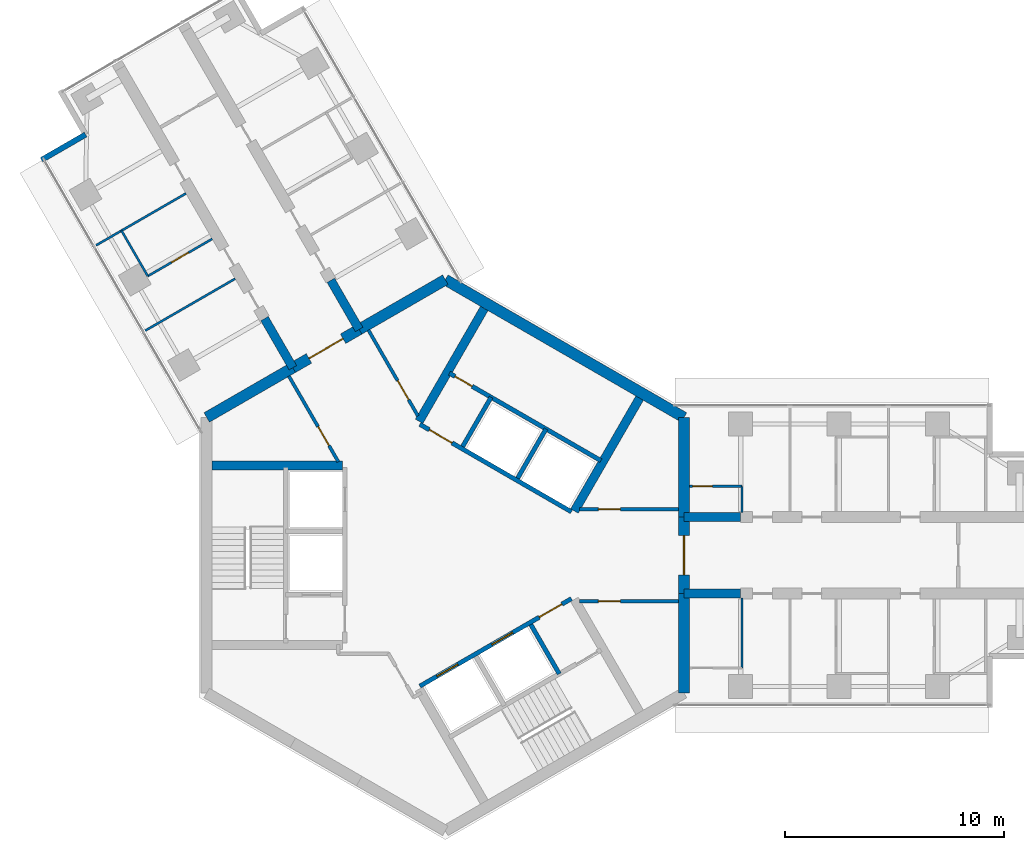
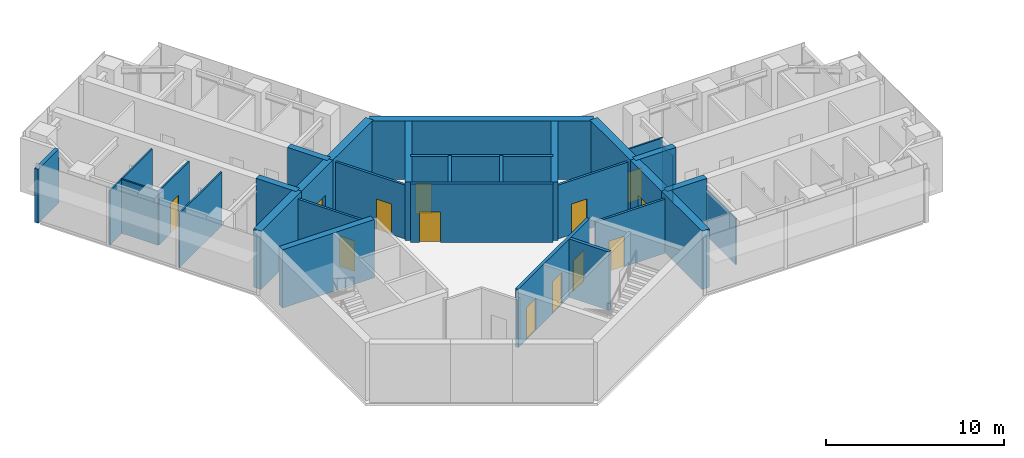
# One storey, part 12 of 17: 32 walls, 13 doors, 13 openings.
"""IFC4 building model written with IfcOpenShell, lengths in metres."""

from ifc_helpers import new_model, si_unit, direction, frame, frame_2d, origin, place, context, subcontext, project, spatial, rectangle, extrude, material, layer, layer_set, type_object, element, fill, save


model = new_model("IFC4")

# Units and contexts
model_context = context("Model", 3, precision=1e-05, world=origin(), true_north=direction((0.0, 1.0)))
body_context = subcontext(model_context, "Body", "Model", "MODEL_VIEW")
ifc_project = project(units=[si_unit("LENGTHUNIT", "METRE"), si_unit("AREAUNIT", "SQUARE_METRE"), si_unit("VOLUMEUNIT", "CUBIC_METRE"), si_unit("PLANEANGLEUNIT", "RADIAN"), si_unit("MASSUNIT", "GRAM", prefix="KILO")], contexts=[model_context])

# Site, building, storey
site_placement = place(None, origin())
site = spatial("IfcSite", under=ifc_project, at=site_placement, CompositionType="ELEMENT")
building_placement = place(site_placement, origin())
building = spatial("IfcBuilding", under=site, at=building_placement, Name="Upepo Twin Towers", CompositionType="ELEMENT")
storey_placement = place(building_placement, frame((0.0, 0.0, 234.5)))
storey = spatial("IfcBuildingStorey", under=building, at=storey_placement, Name="L57", CompositionType="ELEMENT", Elevation=234.5)

# Walls
ifc_material_1 = material(Name="Concrete C60/75", Category="concrete")
ifc_layer_1 = layer(ifc_material_1, 0.39990234375)
ifc_layer_set_1 = layer_set([ifc_layer_1], Name="Concrete C60/75")
wall_type_1 = type_object("IfcWallType", Name="Buttress wall 400 RC", PredefinedType="SHEAR", material=ifc_layer_set_1)
for number, where, z_axis, x_axis, name in (
    (1, (10.908447265625, 1.75, 0.0), (0.0, 0.0, 1.0), (1.0, 0.0, 0.0), "T1 wing A buttress wall L"),
    (2, (10.908447265625, -1.75, 0.0), (0.0, 0.0, 1.0), (1.0, 0.0, 0.0), "T1 wing A buttress wall R"),
):
    element("IfcWall", number, at=place(storey_placement, frame(where, z_axis=z_axis, x_axis=x_axis)), inside=storey, type_object=wall_type_1, Name=name, PredefinedType="SHEAR", context=body_context, shape_type="SweptSolid", body=[
        extrude(rectangle(XDim=2.591552734375, YDim=0.39990234375, at=frame_2d((1.2958984375, 0.0))), origin(), (0.0, 0.0, 1.0), 4.0),
    ])
for number, where, z_axis, x_axis, name in (
    (3, (-6.9697265625, 8.57177734375, 0.0), (0.0, 0.0, 1.0), (-0.499988811324, 0.866031863473, 0.0), "T1 wing B buttress wall L"),
    (4, (-3.938720703125, 10.32177734375, 0.0), (0.0, 0.0, 1.0), (-0.499918158782, 0.866072649678, 0.0), "T1 wing B buttress wall R"),
):
    element("IfcWall", number, at=place(storey_placement, frame(where, z_axis=z_axis, x_axis=x_axis)), inside=storey, type_object=wall_type_1, Name=name, PredefinedType="SHEAR", context=body_context, shape_type="SweptSolid", body=[
        extrude(rectangle(XDim=2.591796875, YDim=0.39990234375, at=frame_2d((1.2958984375, 0.0))), origin(), (0.0, 0.0, 1.0), 4.0),
    ])
ifc_material_2 = material(Name="Concrete C60/75", Category="concrete")
ifc_layer_2 = layer(ifc_material_2, 0.5)
ifc_layer_set_2 = layer_set([ifc_layer_2], Name="Concrete C60/75")
wall_type_2 = type_object("IfcWallType", Name="Core wall 500 RC", PredefinedType="SHEAR", material=ifc_layer_set_2)
wall_1_placement = place(storey_placement, frame((10.908447265625, -6.2978515625, 0.0), z_axis=(0.0, 0.0, 1.0), x_axis=(0.0, 1.0, 0.0)))
element("IfcWall", 5, at=wall_1_placement, inside=storey, type_object=wall_type_2, Name="T1 core wall 000 R", PredefinedType="SHEAR", context=body_context, shape_type="SweptSolid", body=[
    extrude(rectangle(XDim=4.5478515625, YDim=0.5, at=frame_2d((2.27392578125, 0.0))), origin(), (0.0, 0.0, 1.0), 4.0),
])

# Wall, opening, door
wall_2_placement = place(storey_placement, frame((10.908447265625, -1.75, 0.0), z_axis=(0.0, 0.0, 1.0), x_axis=(0.0, 1.0, 0.0)))
wall_2 = element("IfcWall", 6, at=wall_2_placement, inside=storey, type_object=wall_type_2, Name="T1 core wall 000", PredefinedType="SHEAR", context=body_context, shape_type="SweptSolid", body=[
    extrude(rectangle(XDim=3.5, YDim=0.5, at=frame_2d((1.75, 0.0))), origin(), (0.0, 0.0, 1.0), 4.0),
])
opening_1_placement = place(wall_2_placement, frame((0.85009765625, 0.0, 0.0)))
opening_1 = element("IfcOpeningElement", 7, at=opening_1_placement, cuts=wall_2, Name="Opening D2", PredefinedType="OPENING", context=body_context, shape_type="SweptSolid", body=[
    extrude(rectangle(XDim=1.800048828125, YDim=2.10009765625, at=frame_2d((0.89990234375, 1.050048828125))), frame((0.0, 0.260009765625, 0.0), z_axis=(0.0, -1.0, 0.0), x_axis=(1.0, 0.0, 0.0)), (0.0, 0.0, 1.0), 0.52001953125),
])
ifc_material_3 = material(Name="Timber doorset", Category="wood")
door_type_1 = type_object("IfcDoorType", Name="Corridor double door 1800 FD60", OperationType="DOUBLE_DOOR_DOUBLE_SWING", PredefinedType="DOOR", material=ifc_material_3)
door_1_placement = place(opening_1_placement, origin())
door_1 = element("IfcDoor", 8, at=door_1_placement, inside=storey, type_object=door_type_1, Name="T1 L57 wing A corridor door", OperationType="DOUBLE_DOOR_DOUBLE_SWING", OverallHeight=2.10009765625, OverallWidth=1.800048828125, PredefinedType="DOOR", context=body_context, shape_type="SweptSolid", body=[
    extrude(rectangle(XDim=1.800048828125, YDim=2.10009765625, at=frame_2d((0.89990234375, 1.050048828125))), frame((0.0, 0.02490234375, 0.0), z_axis=(0.0, -1.0, 0.0), x_axis=(1.0, 0.0, 0.0)), (0.0, 0.0, 1.0), 0.050048828125),
])
fill(opening_1, door_1)

# Walls
wall_3_placement = place(storey_placement, frame((10.908447265625, 1.75, 0.0), z_axis=(0.0, 0.0, 1.0), x_axis=(0.0, 1.0, 0.0)))
element("IfcWall", 9, at=wall_3_placement, inside=storey, type_object=wall_type_2, Name="T1 core wall 000 L", PredefinedType="SHEAR", context=body_context, shape_type="SweptSolid", body=[
    extrude(rectangle(XDim=4.5478515625, YDim=0.5, at=frame_2d((2.27392578125, 0.0))), origin(), (0.0, 0.0, 1.0), 4.0),
])
wall_4_placement = place(storey_placement, frame((10.908447265625, 6.2978515625, 0.0), z_axis=(0.0, 0.0, 1.0), x_axis=(-0.866021940709, 0.500005998175, 0.0)))
element("IfcWall", 10, at=wall_4_placement, inside=storey, type_object=wall_type_2, Name="T1 core wall 060", PredefinedType="SHEAR", context=body_context, shape_type="SweptSolid", body=[
    extrude(rectangle(XDim=12.595947265625, YDim=0.5, at=frame_2d((6.2978515625, 0.0))), origin(), (0.0, 0.0, 1.0), 4.0),
])
wall_5_placement = place(storey_placement, frame((0.0, 12.595947265625, 0.0), z_axis=(0.0, 0.0, 1.0), x_axis=(-0.866011268655, -0.500024481964, 0.0)))
element("IfcWall", 11, at=wall_5_placement, inside=storey, type_object=wall_type_2, Name="T1 core wall 120 R", PredefinedType="SHEAR", context=body_context, shape_type="SweptSolid", body=[
    extrude(rectangle(XDim=4.548095703125, YDim=0.5, at=frame_2d((2.27392578125, 0.0))), origin(), (0.0, 0.0, 1.0), 4.0),
])

# Wall, opening, door
wall_6_placement = place(storey_placement, frame((-3.938720703125, 10.32177734375, 0.0), z_axis=(0.0, 0.0, 1.0), x_axis=(-0.866019471182, -0.500010275428, 0.0)))
wall_6 = element("IfcWall", 12, at=wall_6_placement, inside=storey, type_object=wall_type_2, Name="T1 core wall 120", PredefinedType="SHEAR", context=body_context, shape_type="SweptSolid", body=[
    extrude(rectangle(XDim=3.5, YDim=0.5, at=frame_2d((1.75, 0.0))), origin(), (0.0, 0.0, 1.0), 4.0),
])
opening_2_placement = place(wall_6_placement, frame((0.85009765625, 0.0, 0.0)))
opening_2 = element("IfcOpeningElement", 13, at=opening_2_placement, cuts=wall_6, Name="Opening D2", PredefinedType="OPENING", context=body_context, shape_type="SweptSolid", body=[
    extrude(rectangle(XDim=1.800048828125, YDim=2.10009765625, at=frame_2d((0.89990234375, 1.050048828125))), frame((0.0, 0.260009765625, 0.0), z_axis=(0.0, -1.0, 0.0), x_axis=(1.0, 0.0, 0.0)), (0.0, 0.0, 1.0), 0.52001953125),
])
door_2_placement = place(opening_2_placement, origin())
door_2 = element("IfcDoor", 14, at=door_2_placement, inside=storey, type_object=door_type_1, Name="T1 L57 wing B corridor door", OperationType="DOUBLE_DOOR_DOUBLE_SWING", OverallHeight=2.10009765625, OverallWidth=1.800048828125, PredefinedType="DOOR", context=body_context, shape_type="SweptSolid", body=[
    extrude(rectangle(XDim=1.800048828125, YDim=2.10009765625, at=frame_2d((0.89990234375, 1.050048828125))), frame((0.0, 0.02490234375, 0.0), z_axis=(0.0, -1.0, 0.0), x_axis=(1.0, 0.0, 0.0)), (0.0, 0.0, 1.0), 0.050048828125),
])
fill(opening_2, door_2)

# Walls
wall_7_placement = place(storey_placement, frame((-6.9697265625, 8.57177734375, 0.0), z_axis=(0.0, 0.0, 1.0), x_axis=(-0.866034513004, -0.499984222037, 0.0)))
element("IfcWall", 15, at=wall_7_placement, inside=storey, type_object=wall_type_2, Name="T1 core wall 120 L", PredefinedType="SHEAR", context=body_context, shape_type="SweptSolid", body=[
    extrude(rectangle(XDim=4.548095703125, YDim=0.5, at=frame_2d((2.27392578125, 0.0))), origin(), (0.0, 0.0, 1.0), 4.0),
])
ifc_material_4 = material(Name="Blockwork with anodised aluminium cladding", Category="masonry")
ifc_layer_3 = layer(ifc_material_4, 0.25)
ifc_layer_set_3 = layer_set([ifc_layer_3], Name="Notch cladding wall 250, pale metal")
wall_type_3 = type_object("IfcWallType", Name="Notch cladding wall 250, pale metal", PredefinedType="STANDARD", material=ifc_layer_set_3)
wall_8_placement = place(storey_placement, frame((-18.456298828125, 18.0673828125, 0.0), z_axis=(0.0, 0.0, 1.0), x_axis=(0.865998469481, 0.500046648681, 0.0)))
element("IfcWall", 16, at=wall_8_placement, inside=storey, type_object=wall_type_3, Name="T1 L57 wing B notch wall L1", PredefinedType="STANDARD", context=body_context, shape_type="SweptSolid", body=[
    extrude(rectangle(XDim=2.324951171875, YDim=0.25, at=frame_2d((1.16259765625, 0.0))), origin(), (0.0, 0.0, 1.0), 3.699951171875),
])

# Wall, opening, door
ifc_material_5 = material(Name="Gypsum board on steel studs", Category="steel")
ifc_layer_4 = layer(ifc_material_5, 0.10009765625)
ifc_layer_set_4 = layer_set([ifc_layer_4], Name="Office partition 100 stud")
wall_type_4 = type_object("IfcWallType", Name="Office partition 100 stud", PredefinedType="PARTITIONING", material=ifc_layer_set_4)
wall_9_placement = place(storey_placement, frame((11.157958984375, 3.14990234375, 0.0), z_axis=(0.0, 0.0, 1.0), x_axis=(1.0, 0.0, 0.0)))
wall_9 = element("IfcWall", 17, at=wall_9_placement, inside=storey, type_object=wall_type_4, Name="T1 WC bay partition AL at 11.16", PredefinedType="PARTITIONING", context=body_context, shape_type="SweptSolid", body=[
    extrude(rectangle(XDim=2.400146484375, YDim=0.10009765625, at=frame_2d((1.2001953125, 0.0))), origin(), (0.0, 0.0, 1.0), 3.699951171875),
])
opening_3_placement = place(wall_9_placement, frame((0.14990234375, 0.0, 0.0)))
opening_3 = element("IfcOpeningElement", 18, at=opening_3_placement, cuts=wall_9, Name="Opening D14", PredefinedType="OPENING", context=body_context, shape_type="SweptSolid", body=[
    extrude(rectangle(XDim=0.89990234375, YDim=2.10009765625, at=frame_2d((0.449951171875, 1.050048828125))), frame((0.0, 0.06005859375, 0.0), z_axis=(0.0, -1.0, 0.0), x_axis=(1.0, 0.0, 0.0)), (0.0, 0.0, 1.0), 0.1201171875),
])
ifc_material_6 = material(Name="Timber doorset", Category="wood")
door_type_2 = type_object("IfcDoorType", Name="Office door 900 FD30", OperationType="SINGLE_SWING_LEFT", PredefinedType="DOOR", material=ifc_material_6)
door_3_placement = place(opening_3_placement, origin())
door_3 = element("IfcDoor", 19, at=door_3_placement, inside=storey, type_object=door_type_2, Name="T1 L57 WC bay inner room door", OperationType="SINGLE_SWING_LEFT", OverallHeight=2.10009765625, OverallWidth=0.89990234375, PredefinedType="DOOR", context=body_context, shape_type="SweptSolid", body=[
    extrude(rectangle(XDim=0.89990234375, YDim=2.10009765625, at=frame_2d((0.449951171875, 1.050048828125))), frame((0.0, 0.02490234375, 0.0), z_axis=(0.0, -1.0, 0.0), x_axis=(1.0, 0.0, 0.0)), (0.0, 0.0, 1.0), 0.050048828125),
])
fill(opening_3, door_3)

# Walls
wall_10_placement = place(storey_placement, frame((13.55810546875, 1.949951171875, 0.0), z_axis=(0.0, 0.0, 1.0), x_axis=(0.0, 1.0, 0.0)))
element("IfcWall", 20, at=wall_10_placement, inside=storey, type_object=wall_type_4, Name="T1 WC bay partition AL end at 13.56", PredefinedType="PARTITIONING", context=body_context, shape_type="SweptSolid", body=[
    extrude(rectangle(XDim=1.199951171875, YDim=0.10009765625, at=frame_2d((0.60009765625, 0.0))), origin(), (0.0, 0.0, 1.0), 3.1669921875),
])
wall_11_placement = place(storey_placement, frame((13.55810546875, -1.949951171875, 0.0), z_axis=(0.0, 0.0, 1.0), x_axis=(0.0, -1.0, 0.0)))
element("IfcWall", 21, at=wall_11_placement, inside=storey, type_object=wall_type_4, Name="T1 WC bay partition AR end at 13.56", PredefinedType="PARTITIONING", context=body_context, shape_type="SweptSolid", body=[
    extrude(rectangle(XDim=3.199951171875, YDim=0.10009765625, at=frame_2d((1.60009765625, 0.0))), origin(), (0.0, 0.0, 1.0), 3.1669921875),
])
for number, where, z_axis, x_axis, name in (
    (22, (-9.60693359375, 12.639892578125, 0.0), (0.0, 0.0, 1.0), (-0.866033238375, -0.499986429846, 0.0), "T1 partition BL at 15.75"),
    (23, (-11.85693359375, 16.537109375, 0.0), (0.0, 0.0, 1.0), (-0.866033238375, -0.499986429846, 0.0), "T1 partition BL at 20.25"),
):
    element("IfcWall", number, at=place(storey_placement, frame(where, z_axis=z_axis, x_axis=x_axis)), inside=storey, type_object=wall_type_4, Name=name, PredefinedType="PARTITIONING", context=body_context, shape_type="SweptSolid", body=[
        extrude(rectangle(XDim=4.750244140625, YDim=0.10009765625, at=frame_2d((2.375, 0.0))), origin(), (0.0, 0.0, 1.0), 3.699951171875),
    ])
wall_12_placement = place(storey_placement, frame((-13.6015625, 12.758544921875, 0.0), z_axis=(0.0, 0.0, 1.0), x_axis=(-0.500001309137, 0.866024647952, 0.0)))
element("IfcWall", 24, at=wall_12_placement, inside=storey, type_object=wall_type_4, Name="T1 inner room partition BL at 17.85", PredefinedType="PARTITIONING", context=body_context, shape_type="SweptSolid", body=[
    extrude(rectangle(XDim=2.39990234375, YDim=0.10009765625, at=frame_2d((1.199951171875, 0.0))), origin(), (0.0, 0.0, 1.0), 3.699951171875),
])

# Wall, opening, door
wall_13_placement = place(storey_placement, frame((-10.656982421875, 14.45849609375, 0.0), z_axis=(0.0, 0.0, 1.0), x_axis=(-0.866038511948, -0.499977295307, 0.0)))
wall_13 = element("IfcWall", 25, at=wall_13_placement, inside=storey, type_object=wall_type_4, Name="T1 inner room partition BL end at 17.85", PredefinedType="PARTITIONING", context=body_context, shape_type="SweptSolid", body=[
    extrude(rectangle(XDim=3.400146484375, YDim=0.10009765625, at=frame_2d((1.7001953125, 0.0))), origin(), (0.0, 0.0, 1.0), 3.699951171875),
])
opening_4_placement = place(wall_13_placement, frame((1.25, 0.0, 0.0)))
opening_4 = element("IfcOpeningElement", 26, at=opening_4_placement, cuts=wall_13, Name="Opening D14", PredefinedType="OPENING", context=body_context, shape_type="SweptSolid", body=[
    extrude(rectangle(XDim=0.89990234375, YDim=2.10009765625, at=frame_2d((0.449951171875, 1.050048828125))), frame((0.0, 0.06005859375, 0.0), z_axis=(0.0, -1.0, 0.0), x_axis=(1.0, 0.0, 0.0)), (0.0, 0.0, 1.0), 0.1201171875),
])
door_4_placement = place(opening_4_placement, origin())
door_4 = element("IfcDoor", 27, at=door_4_placement, inside=storey, type_object=door_type_2, Name="T1 L57 inner room door", OperationType="SINGLE_SWING_LEFT", OverallHeight=2.10009765625, OverallWidth=0.89990234375, PredefinedType="DOOR", context=body_context, shape_type="SweptSolid", body=[
    extrude(rectangle(XDim=0.89990234375, YDim=2.10009765625, at=frame_2d((0.449951171875, 1.050048828125))), frame((0.0, 0.02490234375, 0.0), z_axis=(0.0, -1.0, 0.0), x_axis=(1.0, 0.0, 0.0)), (0.0, 0.0, 1.0), 0.050048828125),
])
fill(opening_4, door_4)

ifc_material_7 = material(Name="Concrete C40/50", Category="concrete")
ifc_layer_5 = layer(ifc_material_7, 0.199951171875)
ifc_layer_set_5 = layer_set([ifc_layer_5], Name="Concrete C40/50")
wall_type_5 = type_object("IfcWallType", Name="Shaft wall 200 RC", PredefinedType="SHEAR", material=ifc_layer_set_5)
wall_14_placement = place(storey_placement, frame((5.76416015625, 1.983642578125, 0.0), z_axis=(0.0, 0.0, 1.0), x_axis=(-0.866026010844, 0.49999894854, 0.0)))
wall_14 = element("IfcWall", 28, at=wall_14_placement, inside=storey, type_object=wall_type_5, Name="T1 core W60 front wall", PredefinedType="SHEAR", context=body_context, shape_type="SweptSolid", body=[
    extrude(rectangle(XDim=8.0, YDim=0.199951171875, at=frame_2d((4.0, 0.0))), origin(), (0.0, 0.0, 1.0), 4.0),
])
opening_5_placement = place(wall_14_placement, frame((6.300048828125, 0.0, 0.0)))
opening_5 = element("IfcOpeningElement", 29, at=opening_5_placement, cuts=wall_14, Name="Opening D4", PredefinedType="OPENING", context=body_context, shape_type="SweptSolid", body=[
    extrude(rectangle(XDim=1.199951171875, YDim=2.10009765625, at=frame_2d((0.60009765625, 1.050048828125))), frame((0.0, 0.10986328125, 0.0), z_axis=(0.0, -1.0, 0.0), x_axis=(1.0, 0.0, 0.0)), (0.0, 0.0, 1.0), 0.219970703125),
])
ifc_material_8 = material(Name="Timber doorset", Category="wood")
door_type_3 = type_object("IfcDoorType", Name="Lobby door 1200 FD60", OperationType="SINGLE_SWING_LEFT", PredefinedType="DOOR", material=ifc_material_8)
door_5_placement = place(opening_5_placement, origin())
door_5 = element("IfcDoor", 30, at=door_5_placement, inside=storey, type_object=door_type_3, Name="T1 L57 W60 lobby door", OperationType="SINGLE_SWING_RIGHT", OverallHeight=2.10009765625, OverallWidth=1.199951171875, PredefinedType="DOOR", context=body_context, shape_type="SweptSolid", body=[
    extrude(rectangle(XDim=1.199951171875, YDim=2.10009765625, at=frame_2d((0.60009765625, 1.050048828125))), frame((0.0, 0.02490234375, 0.0), z_axis=(0.0, -1.0, 0.0), x_axis=(1.0, 0.0, 0.0)), (0.0, 0.0, 1.0), 0.050048828125),
])
fill(opening_5, door_5)

# Walls
for number, where, z_axis, x_axis, name in (
    (31, (3.302734375, 3.520263671875, 0.0), (0.0, 0.0, 1.0), (0.499936506574, 0.866062058628, 0.0), "T1 core W60 shaft divider"),
    (32, (0.791259765625, 4.97021484375, 0.0), (0.0, 0.0, 1.0), (0.499936506574, 0.866062058628, 0.0), "T1 core W60 lobby wall"),
):
    element("IfcWall", number, at=place(storey_placement, frame(where, z_axis=z_axis, x_axis=x_axis)), inside=storey, type_object=wall_type_5, Name=name, PredefinedType="SHEAR", context=body_context, shape_type="SweptSolid", body=[
        extrude(rectangle(XDim=2.599853515625, YDim=0.199951171875, at=frame_2d((1.2998046875, 0.0))), origin(), (0.0, 0.0, 1.0), 4.0),
    ])

# Wall, opening, door
wall_15_placement = place(storey_placement, frame((7.114013671875, 4.322021484375, 0.0), z_axis=(0.0, 0.0, 1.0), x_axis=(-0.866026010844, 0.49999894854, 0.0)))
wall_15 = element("IfcWall", 33, at=wall_15_placement, inside=storey, type_object=wall_type_5, Name="T1 core W60 stair wall", PredefinedType="SHEAR", context=body_context, shape_type="SweptSolid", body=[
    extrude(rectangle(XDim=8.0, YDim=0.199951171875, at=frame_2d((4.0, 0.0))), origin(), (0.0, 0.0, 1.0), 4.0),
])
opening_6_placement = place(wall_15_placement, frame((6.800048828125, 0.0, 0.0)))
opening_6 = element("IfcOpeningElement", 34, at=opening_6_placement, cuts=wall_15, Name="Opening D9", PredefinedType="OPENING", context=body_context, shape_type="SweptSolid", body=[
    extrude(rectangle(XDim=0.89990234375, YDim=2.10009765625, at=frame_2d((0.449951171875, 1.050048828125))), frame((0.0, 0.10986328125, 0.0), z_axis=(0.0, -1.0, 0.0), x_axis=(1.0, 0.0, 0.0)), (0.0, 0.0, 1.0), 0.219970703125),
])
ifc_material_9 = material(Name="Timber doorset", Category="wood")
door_type_4 = type_object("IfcDoorType", Name="Riser door 900 FD60", OperationType="SINGLE_SWING_LEFT", PredefinedType="DOOR", material=ifc_material_9)
door_6_placement = place(opening_6_placement, origin())
door_6 = element("IfcDoor", 35, at=door_6_placement, inside=storey, type_object=door_type_4, Name="T1 L57 riser door", OperationType="SINGLE_SWING_RIGHT", OverallHeight=2.10009765625, OverallWidth=0.89990234375, PredefinedType="DOOR", context=body_context, shape_type="SweptSolid", body=[
    extrude(rectangle(XDim=0.89990234375, YDim=2.10009765625, at=frame_2d((0.449951171875, 1.050048828125))), frame((0.0, 0.02490234375, 0.0), z_axis=(0.0, -1.0, 0.0), x_axis=(1.0, 0.0, 0.0)), (0.0, 0.0, 1.0), 0.050048828125),
])
fill(opening_6, door_6)

# Wall, openings, doors
wall_16_placement = place(storey_placement, frame((-1.1640625, -5.983642578125, 0.0), z_axis=(0.0, 0.0, 1.0), x_axis=(0.866026010844, 0.49999894854, 0.0)))
wall_16 = element("IfcWall", 36, at=wall_16_placement, inside=storey, type_object=wall_type_5, Name="T1 core W300 front wall", PredefinedType="SHEAR", context=body_context, shape_type="SweptSolid", body=[
    extrude(rectangle(XDim=8.0, YDim=0.199951171875, at=frame_2d((4.0, 0.0))), origin(), (0.0, 0.0, 1.0), 4.0),
])
opening_7_placement = place(wall_16_placement, frame((6.300048828125, 0.0, 0.0)))
opening_7 = element("IfcOpeningElement", 37, at=opening_7_placement, cuts=wall_16, Name="Opening D4", PredefinedType="OPENING", context=body_context, shape_type="SweptSolid", body=[
    extrude(rectangle(XDim=1.199951171875, YDim=2.10009765625, at=frame_2d((0.60009765625, 1.050048828125))), frame((0.0, 0.10986328125, 0.0), z_axis=(0.0, -1.0, 0.0), x_axis=(1.0, 0.0, 0.0)), (0.0, 0.0, 1.0), 0.219970703125),
])
opening_8_placement = place(wall_16_placement, frame((0.89990234375, 0.0, 0.0)))
opening_8 = element("IfcOpeningElement", 38, at=opening_8_placement, cuts=wall_16, Name="Opening LD1", PredefinedType="OPENING", context=body_context, shape_type="SweptSolid", body=[
    extrude(rectangle(XDim=1.10009765625, YDim=2.199951171875, at=frame_2d((0.550048828125, 1.10009765625))), frame((0.0, 0.10986328125, 0.0), z_axis=(0.0, -1.0, 0.0), x_axis=(1.0, 0.0, 0.0)), (0.0, 0.0, 1.0), 0.219970703125),
])
opening_9_placement = place(wall_16_placement, frame((3.800048828125, 0.0, 0.0)))
opening_9 = element("IfcOpeningElement", 39, at=opening_9_placement, cuts=wall_16, Name="Opening LD1", PredefinedType="OPENING", context=body_context, shape_type="SweptSolid", body=[
    extrude(rectangle(XDim=1.10009765625, YDim=2.199951171875, at=frame_2d((0.550048828125, 1.10009765625))), frame((0.0, 0.10986328125, 0.0), z_axis=(0.0, -1.0, 0.0), x_axis=(1.0, 0.0, 0.0)), (0.0, 0.0, 1.0), 0.219970703125),
])
ifc_material_10 = material(Name="Steel doorset", Category="steel")
door_type_5 = type_object("IfcDoorType", Name="Lift landing door 1100", OperationType="DOUBLE_DOOR_SLIDING", PredefinedType="DOOR", material=ifc_material_10)
door_7_placement = place(opening_8_placement, origin())
door_7 = element("IfcDoor", 40, at=door_7_placement, inside=storey, type_object=door_type_5, Name="T1 L57 lift UL1 landing door", OperationType="DOUBLE_DOOR_SLIDING", OverallHeight=2.199951171875, OverallWidth=1.10009765625, PredefinedType="DOOR", context=body_context, shape_type="SweptSolid", body=[
    extrude(rectangle(XDim=1.10009765625, YDim=2.199951171875, at=frame_2d((0.550048828125, 1.10009765625))), frame((0.0, 0.02490234375, 0.0), z_axis=(0.0, -1.0, 0.0), x_axis=(1.0, 0.0, 0.0)), (0.0, 0.0, 1.0), 0.050048828125),
])
fill(opening_8, door_7)
door_8_placement = place(opening_9_placement, origin())
door_8 = element("IfcDoor", 41, at=door_8_placement, inside=storey, type_object=door_type_5, Name="T1 L57 lift UL2 landing door", OperationType="DOUBLE_DOOR_SLIDING", OverallHeight=2.199951171875, OverallWidth=1.10009765625, PredefinedType="DOOR", context=body_context, shape_type="SweptSolid", body=[
    extrude(rectangle(XDim=1.10009765625, YDim=2.199951171875, at=frame_2d((0.550048828125, 1.10009765625))), frame((0.0, 0.02490234375, 0.0), z_axis=(0.0, -1.0, 0.0), x_axis=(1.0, 0.0, 0.0)), (0.0, 0.0, 1.0), 0.050048828125),
])
fill(opening_9, door_8)
door_9_placement = place(opening_7_placement, origin())
door_9 = element("IfcDoor", 42, at=door_9_placement, inside=storey, type_object=door_type_3, Name="T1 L57 W300 lobby door", OperationType="SINGLE_SWING_RIGHT", OverallHeight=2.10009765625, OverallWidth=1.199951171875, PredefinedType="DOOR", context=body_context, shape_type="SweptSolid", body=[
    extrude(rectangle(XDim=1.199951171875, YDim=2.10009765625, at=frame_2d((0.60009765625, 1.050048828125))), frame((0.0, 0.02490234375, 0.0), z_axis=(0.0, -1.0, 0.0), x_axis=(1.0, 0.0, 0.0)), (0.0, 0.0, 1.0), 0.050048828125),
])
fill(opening_7, door_9)

# Walls
wall_17_placement = place(storey_placement, frame((3.908935546875, -3.17041015625, 0.0), z_axis=(0.0, 0.0, 1.0), x_axis=(0.49997716683, -0.86603858612, 0.0)))
element("IfcWall", 43, at=wall_17_placement, inside=storey, type_object=wall_type_5, Name="T1 core W300 lobby wall", PredefinedType="SHEAR", context=body_context, shape_type="SweptSolid", body=[
    extrude(rectangle(XDim=2.599609375, YDim=0.199951171875, at=frame_2d((1.2998046875, 0.0))), origin(), (0.0, 0.0, 1.0), 4.0),
])
ifc_material_11 = material(Name="Concrete C40/50", Category="concrete")
ifc_layer_6 = layer(ifc_material_11, 0.39990234375)
ifc_layer_set_6 = layer_set([ifc_layer_6], Name="Concrete C40/50")
wall_type_6 = type_object("IfcWallType", Name="Shaft wall 400 RC", PredefinedType="SHEAR", material=ifc_layer_set_6)
wall_18_placement = place(storey_placement, frame((-1.20068359375, 6.120361328125, 0.0), z_axis=(0.0, 0.0, 1.0), x_axis=(0.500021575205, 0.866012946976, 0.0)))
element("IfcWall", 44, at=wall_18_placement, inside=storey, type_object=wall_type_6, Name="T1 core W60 side wall N", PredefinedType="SHEAR", context=body_context, shape_type="SweptSolid", body=[
    extrude(rectangle(XDim=5.958251953125, YDim=0.39990234375, at=frame_2d((2.97900390625, 0.0))), origin(), (0.0, 0.0, 1.0), 4.0),
])
for number, where, z_axis, x_axis, name in (
    (45, (5.900634765625, 2.020263671875, 0.0), (0.0, 0.0, 1.0), (0.500003832394, 0.86602319114, 0.0), "T1 core W60 side wall S"),
    (46, (-4.699951171875, 4.10009765625, 0.0), (0.0, 0.0, 1.0), (-1.0, 0.0, 0.0), "T1 core W180 side wall S"),
):
    element("IfcWall", number, at=place(storey_placement, frame(where, z_axis=z_axis, x_axis=x_axis)), inside=storey, type_object=wall_type_6, Name=name, PredefinedType="SHEAR", context=body_context, shape_type="SweptSolid", body=[
        extrude(rectangle(XDim=5.95849609375, YDim=0.39990234375, at=frame_2d((2.979248046875, 0.0))), origin(), (0.0, 0.0, 1.0), 4.0),
    ])

# Wall, opening, door
ifc_material_12 = material(Name="Gypsum board on steel studs", Category="steel")
ifc_layer_7 = layer(ifc_material_12, 0.14990234375)
ifc_layer_set_7 = layer_set([ifc_layer_7], Name="Teaching partition 150 acoustic")
wall_type_7 = type_object("IfcWallType", Name="Teaching partition 150 acoustic", PredefinedType="PARTITIONING", material=ifc_layer_set_7)
wall_19_placement = place(storey_placement, frame((-4.889892578125, 4.269775390625, 0.0), z_axis=(0.0, 0.0, 1.0), x_axis=(-0.500032211057, 0.866006805923, 0.0)))
wall_19 = element("IfcWall", 47, at=wall_19_placement, inside=storey, type_object=wall_type_7, Name="T1 core room partition 4", PredefinedType="PARTITIONING", context=body_context, shape_type="SweptSolid", body=[
    extrude(rectangle(XDim=4.525634765625, YDim=0.14990234375, at=frame_2d((2.2626953125, 0.0))), origin(), (0.0, 0.0, 1.0), 3.699951171875),
])
opening_10_placement = place(wall_19_placement, frame((0.857666015625, 0.0, 0.0)))
opening_10 = element("IfcOpeningElement", 48, at=opening_10_placement, cuts=wall_19, Name="Opening D1", PredefinedType="OPENING", context=body_context, shape_type="SweptSolid", body=[
    extrude(rectangle(XDim=1.0, YDim=2.10009765625, at=frame_2d((0.5, 1.050048828125))), frame((0.0, 0.0849609375, 0.0), z_axis=(0.0, -1.0, 0.0), x_axis=(1.0, 0.0, 0.0)), (0.0, 0.0, 1.0), 0.169921875),
])
ifc_material_13 = material(Name="Timber doorset", Category="wood")
door_type_6 = type_object("IfcDoorType", Name="Room door 1000 FD30", OperationType="SINGLE_SWING_LEFT", PredefinedType="DOOR", material=ifc_material_13)
door_10_placement = place(opening_10_placement, origin())
door_10 = element("IfcDoor", 49, at=door_10_placement, inside=storey, type_object=door_type_6, Name="T1 L57 core room door K5", OperationType="SINGLE_SWING_LEFT", OverallHeight=2.10009765625, OverallWidth=1.0, PredefinedType="DOOR", context=body_context, shape_type="SweptSolid", body=[
    extrude(rectangle(XDim=1.0, YDim=2.10009765625, at=frame_2d((0.5, 1.050048828125))), frame((0.0, 0.02490234375, 0.0), z_axis=(0.0, -1.0, 0.0), x_axis=(1.0, 0.0, 0.0)), (0.0, 0.0, 1.0), 0.050048828125),
])
fill(opening_10, door_10)

wall_20_placement = place(storey_placement, frame((-3.515380859375, 10.2890625, 0.0), z_axis=(0.0, 0.0, 1.0), x_axis=(0.499968392031, -0.866043651885, 0.0)))
wall_20 = element("IfcWall", 50, at=wall_20_placement, inside=storey, type_object=wall_type_7, Name="T1 core room partition 5", PredefinedType="PARTITIONING", context=body_context, shape_type="SweptSolid", body=[
    extrude(rectangle(XDim=4.525634765625, YDim=0.14990234375, at=frame_2d((2.2626953125, 0.0))), origin(), (0.0, 0.0, 1.0), 3.699951171875),
])
opening_11_placement = place(wall_20_placement, frame((2.66796875, 0.0, 0.0)))
opening_11 = element("IfcOpeningElement", 51, at=opening_11_placement, cuts=wall_20, Name="Opening D1", PredefinedType="OPENING", context=body_context, shape_type="SweptSolid", body=[
    extrude(rectangle(XDim=1.0, YDim=2.10009765625, at=frame_2d((0.5, 1.050048828125))), frame((0.0, 0.0849609375, 0.0), z_axis=(0.0, -1.0, 0.0), x_axis=(1.0, 0.0, 0.0)), (0.0, 0.0, 1.0), 0.169921875),
])
door_11_placement = place(opening_11_placement, origin())
door_11 = element("IfcDoor", 52, at=door_11_placement, inside=storey, type_object=door_type_6, Name="T1 L57 core room door K4", OperationType="SINGLE_SWING_RIGHT", OverallHeight=2.10009765625, OverallWidth=1.0, PredefinedType="DOOR", context=body_context, shape_type="SweptSolid", body=[
    extrude(rectangle(XDim=1.0, YDim=2.10009765625, at=frame_2d((0.5, 1.050048828125))), frame((0.0, 0.02490234375, 0.0), z_axis=(0.0, -1.0, 0.0), x_axis=(1.0, 0.0, 0.0)), (0.0, 0.0, 1.0), 0.050048828125),
])
fill(opening_11, door_11)

wall_21_placement = place(storey_placement, frame((6.142578125, 2.10009765625, 0.0), z_axis=(0.0, 0.0, 1.0), x_axis=(1.0, 0.0, 0.0)))
wall_21 = element("IfcWall", 53, at=wall_21_placement, inside=storey, type_object=wall_type_7, Name="T1 core room partition 6", PredefinedType="PARTITIONING", context=body_context, shape_type="SweptSolid", body=[
    extrude(rectangle(XDim=4.525634765625, YDim=0.14990234375, at=frame_2d((2.2626953125, 0.0))), origin(), (0.0, 0.0, 1.0), 3.699951171875),
])
opening_12_placement = place(wall_21_placement, frame((0.857666015625, 0.0, 0.0)))
opening_12 = element("IfcOpeningElement", 54, at=opening_12_placement, cuts=wall_21, Name="Opening D1", PredefinedType="OPENING", context=body_context, shape_type="SweptSolid", body=[
    extrude(rectangle(XDim=1.0, YDim=2.10009765625, at=frame_2d((0.5, 1.050048828125))), frame((0.0, 0.0849609375, 0.0), z_axis=(0.0, -1.0, 0.0), x_axis=(1.0, 0.0, 0.0)), (0.0, 0.0, 1.0), 0.169921875),
])
door_12_placement = place(opening_12_placement, origin())
door_12 = element("IfcDoor", 55, at=door_12_placement, inside=storey, type_object=door_type_6, Name="T1 L57 core room door K3", OperationType="SINGLE_SWING_LEFT", OverallHeight=2.10009765625, OverallWidth=1.0, PredefinedType="DOOR", context=body_context, shape_type="SweptSolid", body=[
    extrude(rectangle(XDim=1.0, YDim=2.10009765625, at=frame_2d((0.5, 1.050048828125))), frame((0.0, 0.02490234375, 0.0), z_axis=(0.0, -1.0, 0.0), x_axis=(1.0, 0.0, 0.0)), (0.0, 0.0, 1.0), 0.050048828125),
])
fill(opening_12, door_12)

wall_22_placement = place(storey_placement, frame((10.668212890625, -2.10009765625, 0.0), z_axis=(0.0, 0.0, 1.0), x_axis=(-1.0, 0.0, 0.0)))
wall_22 = element("IfcWall", 56, at=wall_22_placement, inside=storey, type_object=wall_type_7, Name="T1 core room partition 7", PredefinedType="PARTITIONING", context=body_context, shape_type="SweptSolid", body=[
    extrude(rectangle(XDim=4.525634765625, YDim=0.14990234375, at=frame_2d((2.2626953125, 0.0))), origin(), (0.0, 0.0, 1.0), 3.699951171875),
])
opening_13_placement = place(wall_22_placement, frame((2.66796875, 0.0, 0.0)))
opening_13 = element("IfcOpeningElement", 57, at=opening_13_placement, cuts=wall_22, Name="Opening D1", PredefinedType="OPENING", context=body_context, shape_type="SweptSolid", body=[
    extrude(rectangle(XDim=1.0, YDim=2.10009765625, at=frame_2d((0.5, 1.050048828125))), frame((0.0, 0.0849609375, 0.0), z_axis=(0.0, -1.0, 0.0), x_axis=(1.0, 0.0, 0.0)), (0.0, 0.0, 1.0), 0.169921875),
])
door_13_placement = place(opening_13_placement, origin())
door_13 = element("IfcDoor", 58, at=door_13_placement, inside=storey, type_object=door_type_6, Name="T1 L57 core room door K2", OperationType="SINGLE_SWING_RIGHT", OverallHeight=2.10009765625, OverallWidth=1.0, PredefinedType="DOOR", context=body_context, shape_type="SweptSolid", body=[
    extrude(rectangle(XDim=1.0, YDim=2.10009765625, at=frame_2d((0.5, 1.050048828125))), frame((0.0, 0.02490234375, 0.0), z_axis=(0.0, -1.0, 0.0), x_axis=(1.0, 0.0, 0.0)), (0.0, 0.0, 1.0), 0.050048828125),
])
fill(opening_13, door_13)

save(model, "model.ifc")
